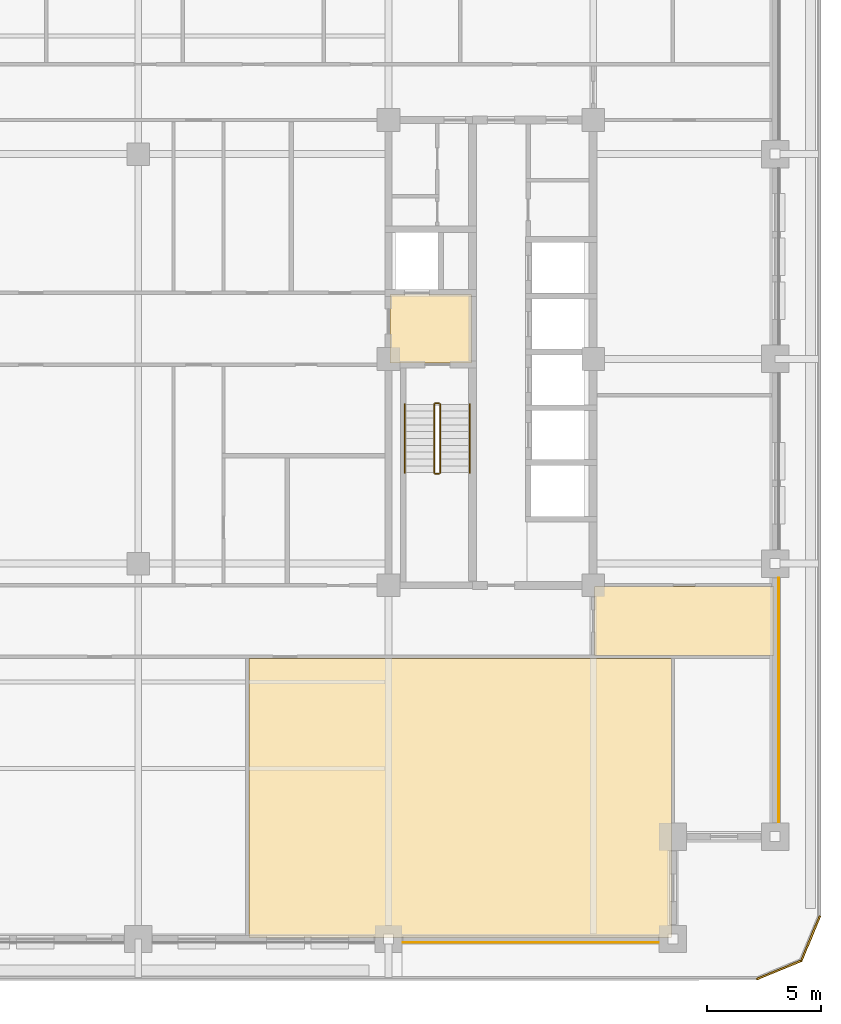
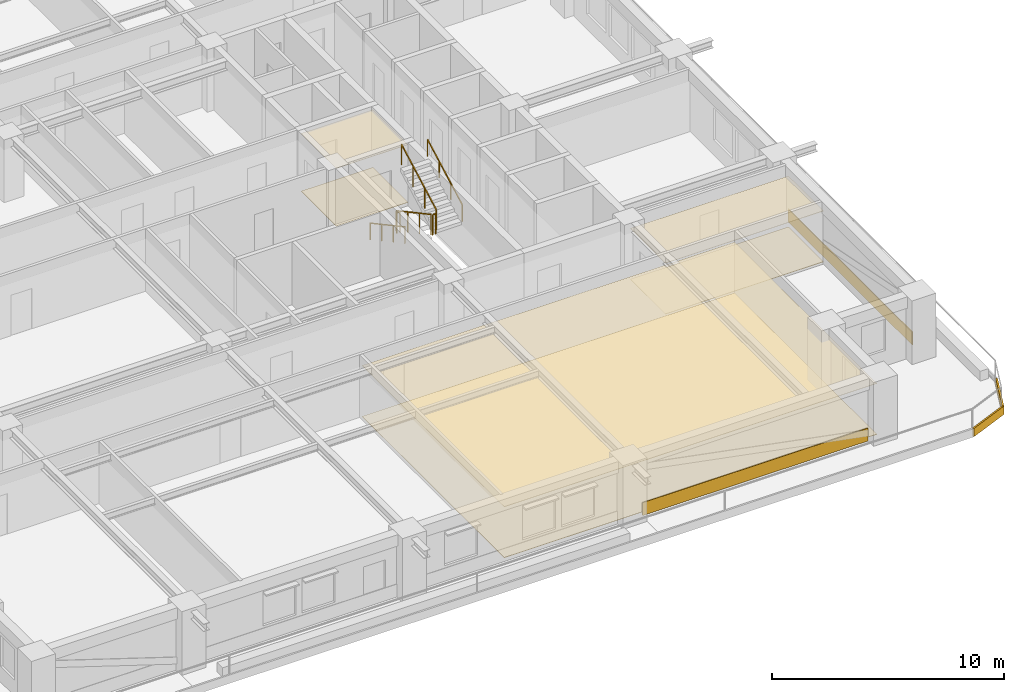
# One storey, part 12 of 14: 10 coverings, 6 railings.
"""IFC4 building model written with IfcOpenShell, lengths in metres."""

from ifc_helpers import new_model, si_unit, direction, frame, frame_2d, origin, origin_2d, place, context, subcontext, project, spatial, polyline, rectangle, outline, extrude, material, layer, layer_set, type_object, element, save


model = new_model("IFC4")

# Units and contexts
model_context = context("Model", 3, precision=1e-05, world=origin(), true_north=direction((0.0, 1.0)))
body_context = subcontext(model_context, "Body", "Model", "MODEL_VIEW")
ifc_project = project(units=[si_unit("LENGTHUNIT", "METRE"), si_unit("AREAUNIT", "SQUARE_METRE"), si_unit("VOLUMEUNIT", "CUBIC_METRE"), si_unit("PLANEANGLEUNIT", "RADIAN"), si_unit("MASSUNIT", "GRAM", prefix="KILO")], contexts=[model_context])

# Site, building, storey
site_placement = place(None, origin())
site = spatial("IfcSite", under=ifc_project, at=site_placement, CompositionType="ELEMENT")
building_placement = place(site_placement, origin())
building = spatial("IfcBuilding", under=site, at=building_placement, Name="Zulmaris Gate Convention Tower", CompositionType="ELEMENT")
storey_placement = place(building_placement, frame((0.0, 0.0, 102.06982421875)))
storey = spatial("IfcBuildingStorey", under=building, at=storey_placement, Name="L25", CompositionType="ELEMENT", Elevation=102.06982421875)

# Coverings
ifc_material_1 = material(Name="Precast concrete C40/50", Category="concrete")
ifc_layer_1 = layer(ifc_material_1, 0.0400390625, Name="Precast concrete C40/50")
ifc_layer_set_1 = layer_set([ifc_layer_1], Name="Precast concrete C40/50")
covering_type_1 = type_object("IfcCoveringType", Name="CLAD-SPANDREL-PRECAST", PredefinedType="CLADDING", material=ifc_layer_set_1)
covering_1_placement = place(storey_placement, frame((11.6298828125, -25.64990234375, 0.0), z_axis=(0.0, 0.0, 1.0), x_axis=(1.0, 0.0, 0.0)))
element("IfcCovering", 1, at=covering_1_placement, inside=storey, type_object=covering_type_1, Name="CLD-L25-S-3_0", PredefinedType="CLADDING", context=body_context, shape_type="SweptSolid", body=[
    extrude(rectangle(XDim=11.240234375, YDim=0.0400390625, at=frame_2d((5.6201171875, 0.0))), origin(), (0.0, 0.0, 1.0), 0.679931640625),
])
covering_2_placement = place(storey_placement, frame((28.14990234375, -20.3701171875, 0.0), z_axis=(0.0, 0.0, 1.0), x_axis=(0.0, 1.0, 0.0)))
element("IfcCovering", 2, at=covering_2_placement, inside=storey, type_object=covering_type_1, Name="CLD-L25-E-0_0", PredefinedType="CLADDING", context=body_context, shape_type="SweptSolid", body=[
    extrude(rectangle(XDim=10.740234375, YDim=0.0400390625, at=frame_2d((5.3701171875, 0.0))), origin(), (0.0, 0.0, 1.0), 0.679931640625),
])
ifc_material_2 = material(Name="White Glazed Architectural Precast Concrete C40/50", Category="concrete")
ifc_layer_2 = layer(ifc_material_2, 0.080078125, Name="White Glazed Architectural Precast Concrete C40/50")
ifc_layer_set_2 = layer_set([ifc_layer_2], Name="White Glazed Architectural Precast Concrete C40/50")
covering_type_2 = type_object("IfcCoveringType", Name="CLAD-TRAY-FASCIA", PredefinedType="CLADDING", material=ifc_layer_set_2)
covering_3_placement = place(storey_placement, frame((27.184814453125, -27.262939453125, -0.31494140625), z_axis=(0.0, 0.0, 1.0), x_axis=(0.923873803533, 0.382697263049, 0.0)))
element("IfcCovering", 3, at=covering_3_placement, inside=storey, type_object=covering_type_2, Name="FSC-L25-TR-03", PredefinedType="CLADDING", context=body_context, shape_type="SweptSolid", body=[
    extrude(rectangle(XDim=2.142822265625, YDim=0.080078125, at=frame_2d((1.0712890625, 0.0))), origin(), (0.0, 0.0, 1.0), 0.43994140625),
])
covering_4_placement = place(storey_placement, frame((29.142822265625, -26.464599609375, -0.31494140625), z_axis=(0.0, 0.0, 1.0), x_axis=(0.382656984709, 0.923890487046, 0.0)))
element("IfcCovering", 4, at=covering_4_placement, inside=storey, type_object=covering_type_2, Name="FSC-L25-TR-04", PredefinedType="CLADDING", context=body_context, shape_type="SweptSolid", body=[
    extrude(rectangle(XDim=2.14306640625, YDim=0.080078125, at=frame_2d((1.071533203125, 0.0))), origin(), (0.0, 0.0, 1.0), 0.43994140625),
])
ifc_material_3 = material(Name="Mineral Fibre Acoustic Ceiling Tile")
ifc_layer_3 = layer(ifc_material_3, 0.02001953125, Name="Mineral Fibre Acoustic Ceiling Tile")
ifc_layer_set_3 = layer_set([ifc_layer_3], Name="Mineral Fibre Acoustic Ceiling Tile")
covering_type_3 = type_object("IfcCoveringType", Name="CLG-ACOUSTIC-600", PredefinedType="CEILING", material=ifc_layer_set_3)
covering_5_placement = place(storey_placement, frame((0.0, 0.0, 3.0400390625)))
element("IfcCovering", 5, at=covering_5_placement, inside=storey, type_object=covering_type_3, Name="CLG-L25-R08", PredefinedType="CEILING", context=body_context, shape_type="SweptSolid", body=[
    extrude(outline(polyline([(11.06005859375, -0.18994140625), (14.639892578125, -0.18994140625), (14.639892578125, 2.840087890625), (11.06005859375, 2.840087890625), (11.06005859375, -0.18994140625)])), origin(), (0.0, 0.0, 1.0), 0.02001953125),
])
covering_6_placement = place(storey_placement, frame((0.0, 0.0, 2.68017578125)))
element("IfcCovering", 6, at=covering_6_placement, inside=storey, type_object=covering_type_3, Name="CLG-L25-R45", PredefinedType="CEILING", context=body_context, shape_type="SweptSolid", body=[
    extrude(outline(polyline([(4.860107421875, -25.43994140625), (23.43994140625, -25.43994140625), (23.43994140625, -13.159912109375), (4.860107421875, -13.159912109375), (4.860107421875, -25.43994140625)])), origin(), (0.0, 0.0, 1.0), 0.02001953125),
])
covering_7_placement = place(storey_placement, frame((0.0, 0.0, 2.68017578125)))
element("IfcCovering", 7, at=covering_7_placement, inside=storey, type_object=covering_type_3, Name="CLG-L25-R57", PredefinedType="CEILING", context=body_context, shape_type="SweptSolid", body=[
    extrude(outline(polyline([(20.06005859375, -13.0400390625), (27.93994140625, -13.0400390625), (27.93994140625, -10.010009765625), (20.06005859375, -10.010009765625), (20.06005859375, -13.0400390625)])), origin(), (0.0, 0.0, 1.0), 0.02001953125),
])
ifc_material_4 = material(Name="Woven Acoustic Wool Carpet Tile")
ifc_layer_4 = layer(ifc_material_4, 0.02001953125, Name="Woven Acoustic Wool Carpet Tile")
ifc_layer_set_4 = layer_set([ifc_layer_4], Name="Woven Acoustic Wool Carpet Tile")
covering_type_4 = type_object("IfcCoveringType", Name="FLR-CARPET-12", PredefinedType="FLOORING", material=ifc_layer_set_4)
covering_8_placement = place(storey_placement, origin())
element("IfcCovering", 8, at=covering_8_placement, inside=storey, type_object=covering_type_4, Name="FLR-L25-R08", PredefinedType="FLOORING", context=body_context, shape_type="SweptSolid", body=[
    extrude(outline(polyline([(11.06005859375, -0.18994140625), (14.639892578125, -0.18994140625), (14.639892578125, 2.840087890625), (11.06005859375, 2.840087890625), (11.06005859375, -0.18994140625)])), origin(), (0.0, 0.0, 1.0), 0.02001953125),
])
covering_9_placement = place(storey_placement, origin())
element("IfcCovering", 9, at=covering_9_placement, inside=storey, type_object=covering_type_4, Name="FLR-L25-R45", PredefinedType="FLOORING", context=body_context, shape_type="SweptSolid", body=[
    extrude(outline(polyline([(4.860107421875, -25.43994140625), (23.43994140625, -25.43994140625), (23.43994140625, -13.159912109375), (4.860107421875, -13.159912109375), (4.860107421875, -25.43994140625)])), origin(), (0.0, 0.0, 1.0), 0.02001953125),
])
covering_10_placement = place(storey_placement, origin())
element("IfcCovering", 10, at=covering_10_placement, inside=storey, type_object=covering_type_4, Name="FLR-L25-R57", PredefinedType="FLOORING", context=body_context, shape_type="SweptSolid", body=[
    extrude(outline(polyline([(20.06005859375, -13.0400390625), (27.93994140625, -13.0400390625), (27.93994140625, -10.010009765625), (20.06005859375, -10.010009765625), (20.06005859375, -13.0400390625)])), origin(), (0.0, 0.0, 1.0), 0.02001953125),
])

# Railings
ifc_material_5 = material(Name="Painted Galvanised Steel", Category="steel")
railing_type_1 = type_object("IfcRailingType", Name="RL-STG-1150", PredefinedType="GUARDRAIL", material=ifc_material_5)
railing_1_placement = place(storey_placement, frame((13.010009765625, -2.0, 0.162353515625)))
element("IfcRailing", 11, at=railing_1_placement, inside=storey, type_object=railing_type_1, Name="L25 ST-2 stair guard 1", PredefinedType="GUARDRAIL", context=body_context, shape_type="SweptSolid", body=[
    extrude(rectangle(XDim=0.048095703125, YDim=0.048095703125, at=origin_2d()), frame((0.0, 0.0, 1.076171875), z_axis=(0.0, -0.879591569277, 0.475729619907), x_axis=(1.0, 0.0, 0.0)), (0.0, 0.0, 1.0), 3.41064453125),
    extrude(rectangle(XDim=0.0419921875, YDim=0.0419921875, at=origin_2d()), origin(), (0.0, 0.0, 1.0), 1.052001953125),
    extrude(rectangle(XDim=0.0419921875, YDim=0.0419921875, at=origin_2d()), frame((0.0, -1.0, 0.540771484375)), (0.0, 0.0, 1.0), 1.052001953125),
    extrude(rectangle(XDim=0.0419921875, YDim=0.0419921875, at=origin_2d()), frame((0.0, -2.0, 1.081787109375)), (0.0, 0.0, 1.0), 1.052001953125),
    extrude(rectangle(XDim=0.0419921875, YDim=0.0419921875, at=origin_2d()), frame((0.0, -3.0, 1.62255859375)), (0.0, 0.0, 1.0), 1.052001953125),
])
railing_2_placement = place(storey_placement, frame((13.06005859375, -5.050048828125, 1.784912109375)))
element("IfcRailing", 12, at=railing_2_placement, inside=storey, type_object=railing_type_1, Name="L25 ST-2 stair guard 2", PredefinedType="GUARDRAIL", context=body_context, shape_type="SweptSolid", body=[
    extrude(rectangle(XDim=0.048095703125, YDim=0.048095703125, at=origin_2d()), frame((0.0, 0.0, 1.076171875), z_axis=(1.0, 0.0, 0.0), x_axis=(0.0, 1.0, 0.0)), (0.0, 0.0, 1.0), 0.159912109375),
    extrude(rectangle(XDim=0.0419921875, YDim=0.0419921875, at=origin_2d()), origin(), (0.0, 0.0, 1.0), 1.052001953125),
    extrude(rectangle(XDim=0.0419921875, YDim=0.0419921875, at=origin_2d()), frame((0.159912109375, 0.0, 0.0)), (0.0, 0.0, 1.0), 1.052001953125),
])
railing_3_placement = place(storey_placement, frame((13.27001953125, -5.0, 1.947265625)))
element("IfcRailing", 13, at=railing_3_placement, inside=storey, type_object=railing_type_1, Name="L25 ST-2 stair guard 3", PredefinedType="GUARDRAIL", context=body_context, shape_type="SweptSolid", body=[
    extrude(rectangle(XDim=0.048095703125, YDim=0.048095703125, at=origin_2d()), frame((0.0, 0.0, 1.076171875), z_axis=(0.0, 0.8795616155, 0.475784998228), x_axis=(-1.0, 0.0, 0.0)), (0.0, 0.0, 1.0), 3.410888671875),
    extrude(rectangle(XDim=0.0419921875, YDim=0.0419921875, at=origin_2d()), origin(), (0.0, 0.0, 1.0), 1.052001953125),
    extrude(rectangle(XDim=0.0419921875, YDim=0.0419921875, at=origin_2d()), frame((0.0, 1.0, 0.541015625)), (0.0, 0.0, 1.0), 1.052001953125),
    extrude(rectangle(XDim=0.0419921875, YDim=0.0419921875, at=origin_2d()), frame((0.0, 2.0, 1.081787109375)), (0.0, 0.0, 1.0), 1.052001953125),
    extrude(rectangle(XDim=0.0419921875, YDim=0.0419921875, at=origin_2d()), frame((0.0, 3.0, 1.622802734375)), (0.0, 0.0, 1.0), 1.052001953125),
])
railing_4_placement = place(storey_placement, frame((13.06005859375, -1.949951171875, 0.0)))
element("IfcRailing", 14, at=railing_4_placement, inside=storey, type_object=railing_type_1, Name="L25 ST-2 stair guard 4", PredefinedType="GUARDRAIL", context=body_context, shape_type="SweptSolid", body=[
    extrude(rectangle(XDim=0.048095703125, YDim=0.048095703125, at=origin_2d()), frame((0.0, 0.0, 1.076171875), z_axis=(1.0, 0.0, 0.0), x_axis=(0.0, 1.0, 0.0)), (0.0, 0.0, 1.0), 0.159912109375),
    extrude(rectangle(XDim=0.0419921875, YDim=0.0419921875, at=origin_2d()), origin(), (0.0, 0.0, 1.0), 1.052001953125),
    extrude(rectangle(XDim=0.0419921875, YDim=0.0419921875, at=origin_2d()), frame((0.159912109375, 0.0, 0.0)), (0.0, 0.0, 1.0), 1.052001953125),
])
ifc_material_6 = material(Name="Brushed Stainless Steel", Category="steel")
railing_type_2 = type_object("IfcRailingType", Name="RL-STH-900", PredefinedType="HANDRAIL", material=ifc_material_6)
railing_5_placement = place(storey_placement, frame((11.7099609375, -2.0, 0.162353515625)))
element("IfcRailing", 15, at=railing_5_placement, inside=storey, type_object=railing_type_2, Name="L25 ST-2 stair handrail 1", PredefinedType="HANDRAIL", context=body_context, shape_type="SweptSolid", body=[
    extrude(rectangle(XDim=0.048095703125, YDim=0.048095703125, at=origin_2d()), frame((0.0, 0.0, 0.8759765625), z_axis=(0.0, -0.879591569277, 0.475729619907), x_axis=(1.0, 0.0, 0.0)), (0.0, 0.0, 1.0), 3.41064453125),
    extrude(rectangle(XDim=0.0419921875, YDim=0.0419921875, at=origin_2d()), origin(), (0.0, 0.0, 1.0), 0.851806640625),
    extrude(rectangle(XDim=0.0419921875, YDim=0.0419921875, at=origin_2d()), frame((0.0, -1.0, 0.540771484375)), (0.0, 0.0, 1.0), 0.851806640625),
    extrude(rectangle(XDim=0.0419921875, YDim=0.0419921875, at=origin_2d()), frame((0.0, -2.0, 1.081787109375)), (0.0, 0.0, 1.0), 0.851806640625),
    extrude(rectangle(XDim=0.0419921875, YDim=0.0419921875, at=origin_2d()), frame((0.0, -3.0, 1.62255859375)), (0.0, 0.0, 1.0), 0.851806640625),
])
railing_6_placement = place(storey_placement, frame((14.570068359375, -5.0, 1.947265625)))
element("IfcRailing", 16, at=railing_6_placement, inside=storey, type_object=railing_type_2, Name="L25 ST-2 stair handrail 2", PredefinedType="HANDRAIL", context=body_context, shape_type="SweptSolid", body=[
    extrude(rectangle(XDim=0.048095703125, YDim=0.048095703125, at=origin_2d()), frame((0.0, 0.0, 0.8759765625), z_axis=(0.0, 0.8795616155, 0.475784998228), x_axis=(-1.0, 0.0, 0.0)), (0.0, 0.0, 1.0), 3.410888671875),
    extrude(rectangle(XDim=0.0419921875, YDim=0.0419921875, at=origin_2d()), origin(), (0.0, 0.0, 1.0), 0.851806640625),
    extrude(rectangle(XDim=0.0419921875, YDim=0.0419921875, at=origin_2d()), frame((0.0, 1.0, 0.541015625)), (0.0, 0.0, 1.0), 0.851806640625),
    extrude(rectangle(XDim=0.0419921875, YDim=0.0419921875, at=origin_2d()), frame((0.0, 2.0, 1.081787109375)), (0.0, 0.0, 1.0), 0.851806640625),
    extrude(rectangle(XDim=0.0419921875, YDim=0.0419921875, at=origin_2d()), frame((0.0, 3.0, 1.622802734375)), (0.0, 0.0, 1.0), 0.851806640625),
])

save(model, "model.ifc")
